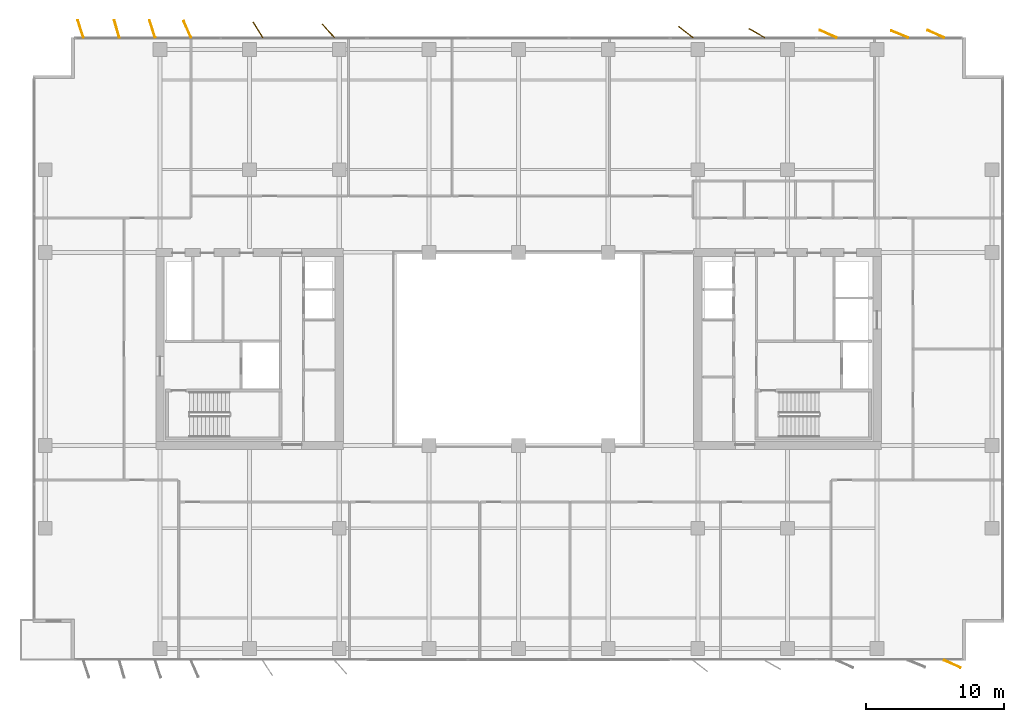
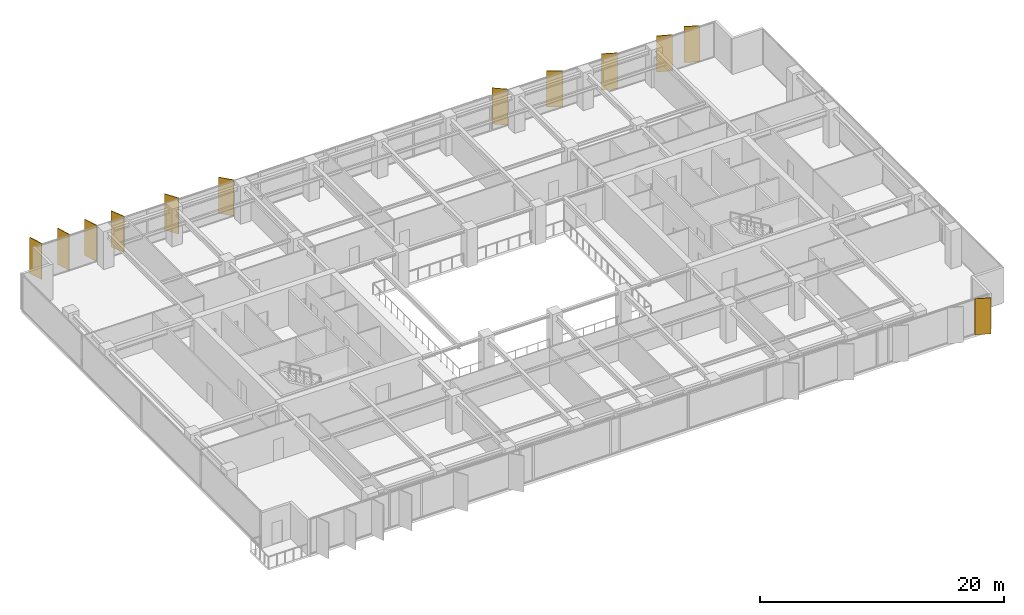
# One storey, part 22 of 22: 12 shading devices.
"""IFC4 building model written with IfcOpenShell, lengths in metres."""

from ifc_helpers import new_model, si_unit, direction, frame, origin, origin_2d, place, context, subcontext, project, spatial, rectangle, extrude, material, layer, layer_set, type_object, element, save


model = new_model("IFC4")

# Units and contexts
model_context = context("Model", 3, precision=1e-05, world=origin(), true_north=direction((0.0, 1.0)))
body_context = subcontext(model_context, "Body", "Model", "MODEL_VIEW")
ifc_project = project(units=[si_unit("LENGTHUNIT", "METRE"), si_unit("AREAUNIT", "SQUARE_METRE"), si_unit("VOLUMEUNIT", "CUBIC_METRE"), si_unit("PLANEANGLEUNIT", "RADIAN"), si_unit("MASSUNIT", "GRAM", prefix="KILO")], contexts=[model_context])

# Site, building, storey
site_placement = place(None, origin())
site = spatial("IfcSite", under=ifc_project, at=site_placement, CompositionType="ELEMENT")
building_placement = place(site_placement, origin())
building = spatial("IfcBuilding", under=site, at=building_placement, Name="Putna Gate Headquarters", CompositionType="ELEMENT")
storey_placement = place(building_placement, frame((0.0, 0.0, 167.0)))
storey = spatial("IfcBuildingStorey", under=building, at=storey_placement, Name="L41", CompositionType="ELEMENT", Elevation=167.0)

# Shading devices
ifc_material = material(Name="Anodised architectural bronze aluminium fin", Category="aluminium")
ifc_layer = layer(ifc_material, 0.06494140625)
ifc_layer_set = layer_set([ifc_layer], Name="Anodised architectural bronze aluminium fin")
shading_device_type = type_object("IfcShadingDeviceType", Name="SHADE-BRONZE-FIN-1320", PredefinedType="USERDEFINED", material=ifc_layer_set)
for number, where, z_axis, x_axis, name in (
    (1, (7.246337890625, 49.202880859375, -0.02001953125), (0.0, 0.0, 1.0), (-0.308684994204, 0.951164325631, 0.0), "L41 Bronze Vertical Shading Fin N1"),
    (2, (9.8681640625, 49.20947265625, -0.02001953125), (0.0, 0.0, 1.0), (-0.275637355817, 0.961261695938, 0.0), "L41 Bronze Vertical Shading Fin N2"),
    (3, (12.4462890625, 49.202880859375, -0.02001953125), (0.0, 0.0, 1.0), (-0.308684994204, 0.951164325631, 0.0), "L41 Bronze Vertical Shading Fin N3"),
    (4, (14.985595703125, 49.1796875, -0.02001953125), (0.0, 0.0, 1.0), (-0.400668879095, 0.916222925562, 0.0), "L41 Bronze Vertical Shading Fin N4"),
    (5, (20.099853515625, 49.134521484375, -0.02001953125), (0.0, 0.0, 1.0), (-0.530659123936, 0.847585331506, 0.0), "L41 Bronze Vertical Shading Fin N5"),
    (6, (25.20849609375, 49.0654296875, -0.02001953125), (0.0, 0.0, 1.0), (-0.669130606359, 0.743144825477, 0.0), "L41 Bronze Vertical Shading Fin N6"),
    (7, (51.13037109375, 48.981689453125, -0.02001953125), (0.0, 0.0, 1.0), (-0.787473187632, 0.616348909921, 0.0), "L41 Bronze Vertical Shading Fin N7"),
    (8, (56.276123046875, 48.901123046875, -0.02001953125), (0.0, 0.0, 1.0), (-0.869322458298, 0.494245347472, 0.0), "L41 Bronze Vertical Shading Fin N8"),
    (9, (61.447021484375, 48.84326171875, -0.02001953125), (0.0, 0.0, 1.0), (-0.913687379856, 0.40641773078, 0.0), "L41 Bronze Vertical Shading Fin N9"),
    (10, (66.63818359375, 48.822265625, -0.02001953125), (0.0, 0.0, 1.0), (-0.927183854567, 0.374606593416, 0.0), "L41 Bronze Vertical Shading Fin N10"),
    (11, (70.452880859375, 3.15673828125, -0.02001953125), (0.0, 0.0, 1.0), (0.913687379856, -0.40641773078, 0.0), "L41 Bronze Vertical Shading Fin S11"),
    (12, (69.2470703125, 48.84326171875, -0.02001953125), (0.0, 0.0, 1.0), (-0.913687379856, 0.40641773078, 0.0), "L41 Bronze Vertical Shading Fin N11"),
):
    element("IfcShadingDevice", number, at=place(storey_placement, frame(where, z_axis=z_axis, x_axis=x_axis)), inside=storey, type_object=shading_device_type, Name=name, ObjectType="FIN", PredefinedType="USERDEFINED", context=body_context, shape_type="SweptSolid", body=[
        extrude(rectangle(XDim=1.320068359375, YDim=0.06494140625, at=origin_2d()), origin(), (0.0, 0.0, 1.0), 3.612060546875),
    ])

save(model, "model.ifc")
